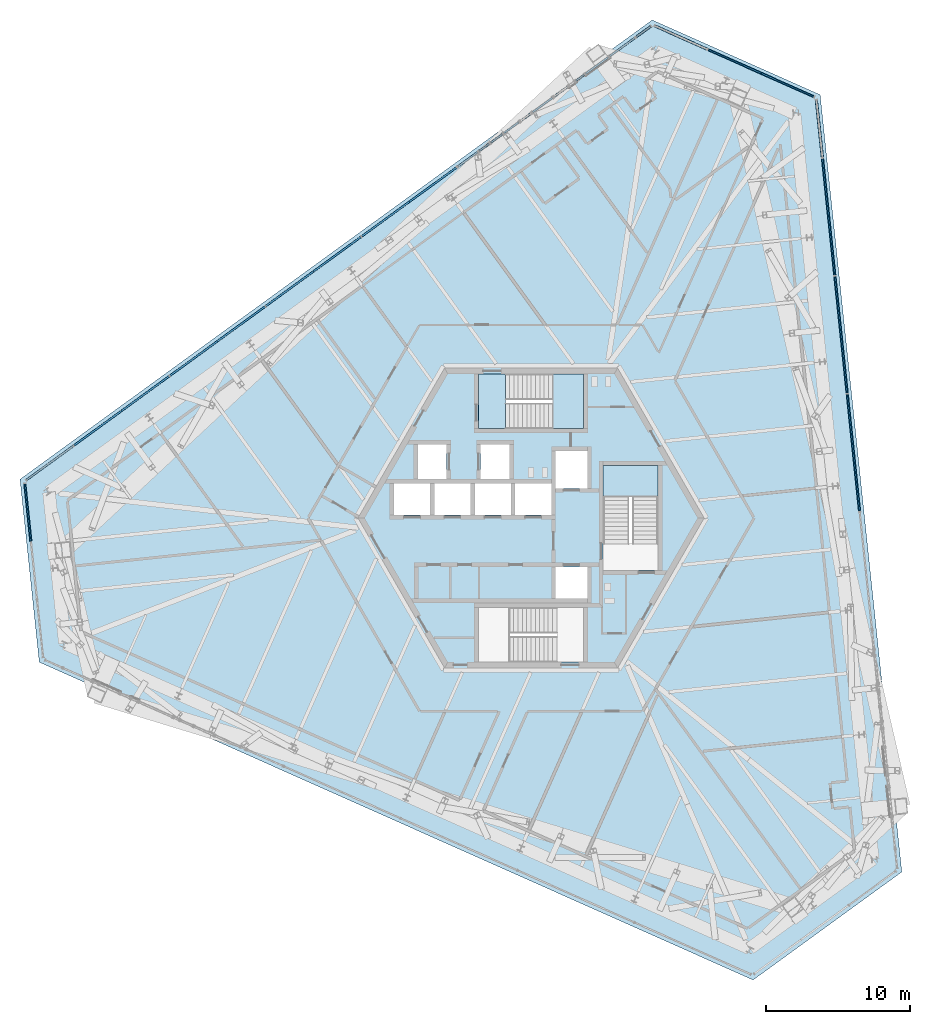
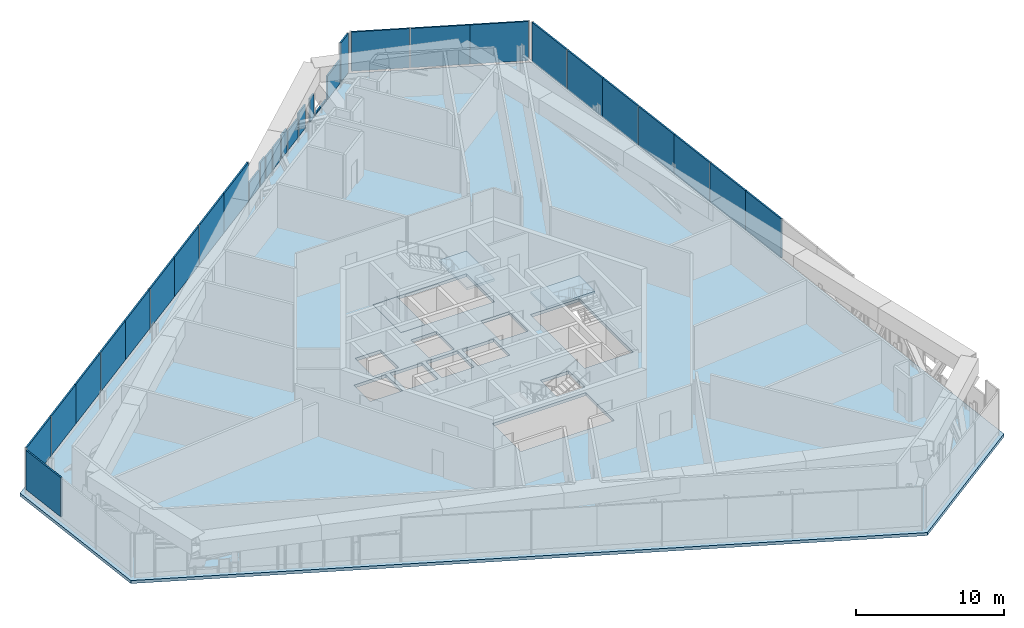
# One storey, part 15 of 30: 31 plates, 4 slabs, 17 elements without a shape of their own.
"""IFC4 building model written with IfcOpenShell, lengths in metres."""

from ifc_helpers import new_model, si_unit, direction, frame, origin, origin_2d, place, context, subcontext, project, spatial, polyline, rectangle, outline, extrude, source, transform, mapped, material, layer, layer_set, type_object, element, aggregate, save


model = new_model("IFC4")

# Units and contexts
model_context = context("Model", 3, precision=1e-05, world=origin(), true_north=direction((0.0, 1.0)))
body_context = subcontext(model_context, "Body", "Model", "MODEL_VIEW")
ifc_project = project(units=[si_unit("LENGTHUNIT", "METRE"), si_unit("AREAUNIT", "SQUARE_METRE"), si_unit("VOLUMEUNIT", "CUBIC_METRE"), si_unit("PLANEANGLEUNIT", "RADIAN"), si_unit("MASSUNIT", "GRAM", prefix="KILO")], contexts=[model_context])

# Site, building, storey
site_placement = place(None, origin())
site = spatial("IfcSite", under=ifc_project, at=site_placement, CompositionType="ELEMENT")
building_placement = place(site_placement, origin())
building = spatial("IfcBuilding", under=site, at=building_placement, Name="Triune Harvest Tower", CompositionType="ELEMENT")
storey_placement = place(building_placement, frame((0.0, 0.0, 94.5)))
storey = spatial("IfcBuildingStorey", under=building, at=storey_placement, Name="L23", CompositionType="ELEMENT", Elevation=94.5)

# Curtain wall, plate
ifc_material_1 = material(Name="Aluminium bronze anodised", Category="aluminium")
curtain_wall_type = type_object("IfcCurtainWallType", Name="CW-5 Plant louvre wall", PredefinedType="NOTDEFINED", material=ifc_material_1)
curtain_wall_1_placement = place(storey_placement, origin())
curtain_wall_1 = element("IfcCurtainWall", 1, at=curtain_wall_1_placement, inside=storey, type_object=curtain_wall_type, Name="CW-5 B2-F3 L23 run 301")
ifc_material_2 = material(Name="Aluminium bronze anodised", Category="aluminium")
ifc_layer_1 = layer(ifc_material_2, 0.1201171875)
ifc_layer_set_1 = layer_set([ifc_layer_1], Name="Aluminium bronze anodised")
plate_type = type_object("IfcPlateType", Name="GL-5 panel 120", PredefinedType="CURTAIN_PANEL", material=ifc_layer_set_1)
plate_1_placement = place(storey_placement, frame((3.3974609375, 30.5244140625, 0.39990234375), z_axis=(0.0, 0.0, 1.0), x_axis=(-0.809009754697, -0.587795216725, 0.0)))
plate_1 = element("IfcPlate", 2, at=plate_1_placement, type_object=plate_type, Name="CW-5 panel B2-F3 301.1", PredefinedType="CURTAIN_PANEL", context=body_context, shape_type="SweptSolid", body=[
    extrude(rectangle(XDim=0.67724609375, YDim=0.1201171875, at=origin_2d()), origin(), (0.0, 0.0, 1.0), 1.929931640625),
])
aggregate(curtain_wall_1, [plate_1])

curtain_wall_2_placement = place(storey_placement, origin())
curtain_wall_2 = element("IfcCurtainWall", 3, at=curtain_wall_2_placement, inside=storey, type_object=curtain_wall_type, Name="CW-5 B2-F3 L23 run 501")
plate_2_placement = place(storey_placement, frame((2.062744140625, 29.5546875, 0.39990234375), z_axis=(0.0, 0.0, 1.0), x_axis=(-0.809011850126, -0.587792332679, 0.0)))
plate_2 = element("IfcPlate", 4, at=plate_2_placement, type_object=plate_type, Name="CW-5 panel B2-F3 501.1", PredefinedType="CURTAIN_PANEL", context=body_context, shape_type="SweptSolid", body=[
    extrude(rectangle(XDim=1.15673828125, YDim=0.1201171875, at=origin_2d()), origin(), (0.0, 0.0, 1.0), 1.929931640625),
])
aggregate(curtain_wall_2, [plate_2])

curtain_wall_3_placement = place(storey_placement, origin())
curtain_wall_3 = element("IfcCurtainWall", 5, at=curtain_wall_3_placement, inside=storey, type_object=curtain_wall_type, Name="CW-5 B2-F3 L23 run 601")
plate_3_placement = place(storey_placement, frame((0.79345703125, 28.632568359375, 0.39990234375), z_axis=(0.0, 0.0, 1.0), x_axis=(-0.809023390856, -0.587776448191, 0.0)))
plate_3 = element("IfcPlate", 6, at=plate_3_placement, type_object=plate_type, Name="CW-5 panel B2-F3 601.1", PredefinedType="CURTAIN_PANEL", context=body_context, shape_type="SweptSolid", body=[
    extrude(rectangle(XDim=1.66064453125, YDim=0.1201171875, at=origin_2d()), origin(), (0.0, 0.0, 1.0), 1.577392578125),
])
aggregate(curtain_wall_3, [plate_3])

curtain_wall_4_placement = place(storey_placement, origin())
curtain_wall_4 = element("IfcCurtainWall", 7, at=curtain_wall_4_placement, inside=storey, type_object=curtain_wall_type, Name="CW-5 B2-F3 L23 run 701")
plate_4_placement = place(storey_placement, frame((-0.365966796875, 27.790283203125, 0.39990234375), z_axis=(0.0, 0.0, 1.0), x_axis=(-0.809008955636, -0.587796316508, 0.0)))
plate_4 = element("IfcPlate", 8, at=plate_4_placement, type_object=plate_type, Name="CW-5 panel B2-F3 701.1", PredefinedType="CURTAIN_PANEL", context=body_context, shape_type="SweptSolid", body=[
    extrude(rectangle(XDim=0.885498046875, YDim=0.1201171875, at=origin_2d()), origin(), (0.0, 0.0, 1.0), 1.929931640625),
])
aggregate(curtain_wall_4, [plate_4])

curtain_wall_5_placement = place(storey_placement, origin())
curtain_wall_5 = element("IfcCurtainWall", 9, at=curtain_wall_5_placement, inside=storey, type_object=curtain_wall_type, Name="CW-5 B2-F3 L23 run 801")
plate_5_placement = place(storey_placement, frame((-1.36328125, 27.0654296875, 0.39990234375), z_axis=(0.0, 0.0, 1.0), x_axis=(-0.808991783624, -0.58781995035, 0.0)))
plate_5 = element("IfcPlate", 10, at=plate_5_placement, type_object=plate_type, Name="CW-5 panel B2-F3 801.1", PredefinedType="CURTAIN_PANEL", context=body_context, shape_type="SweptSolid", body=[
    extrude(rectangle(XDim=1.26025390625, YDim=0.1201171875, at=origin_2d()), origin(), (0.0, 0.0, 1.0), 1.790283203125),
])
aggregate(curtain_wall_5, [plate_5])

curtain_wall_6_placement = place(storey_placement, origin())
curtain_wall_6 = element("IfcCurtainWall", 11, at=curtain_wall_6_placement, inside=storey, type_object=curtain_wall_type, Name="CW-5 B2-F3 L23 run 901")
plate_6_placement = place(storey_placement, frame((-2.39794921875, 26.313720703125, 0.39990234375), z_axis=(0.0, 0.0, 1.0), x_axis=(-0.809032498405, -0.587763912234, 0.0)))
plate_6 = element("IfcPlate", 12, at=plate_6_placement, type_object=plate_type, Name="CW-5 panel B2-F3 901.1", PredefinedType="CURTAIN_PANEL", context=body_context, shape_type="SweptSolid", body=[
    extrude(rectangle(XDim=0.9775390625, YDim=0.1201171875, at=origin_2d()), origin(), (0.0, 0.0, 1.0), 1.790283203125),
])
aggregate(curtain_wall_6, [plate_6])

curtain_wall_7_placement = place(storey_placement, origin())
curtain_wall_7 = element("IfcCurtainWall", 13, at=curtain_wall_7_placement, inside=storey, type_object=curtain_wall_type, Name="CW-5 B2-F3 L23 run 1001")
plate_7_placement = place(storey_placement, frame((-3.254638671875, 25.69140625, 0.39990234375), z_axis=(0.0, 0.0, 1.0), x_axis=(-0.809035828294, -0.587759328753, 0.0)))
plate_7 = element("IfcPlate", 14, at=plate_7_placement, type_object=plate_type, Name="CW-5 panel B2-F3 1001.1", PredefinedType="CURTAIN_PANEL", context=body_context, shape_type="SweptSolid", body=[
    extrude(rectangle(XDim=0.820556640625, YDim=0.1201171875, at=origin_2d()), origin(), (0.0, 0.0, 1.0), 1.929931640625),
])
aggregate(curtain_wall_7, [plate_7])

curtain_wall_8_placement = place(storey_placement, origin())
curtain_wall_8 = element("IfcCurtainWall", 15, at=curtain_wall_8_placement, inside=storey, type_object=curtain_wall_type, Name="CW-5 B2-F3 L23 run 1101")
plate_8_placement = place(storey_placement, frame((-4.384521484375, 24.87060546875, 0.39990234375), z_axis=(0.0, 0.0, 1.0), x_axis=(-0.809031859757, -0.587764791306, 0.0)))
plate_8 = element("IfcPlate", 16, at=plate_8_placement, type_object=plate_type, Name="CW-5 panel B2-F3 1101.1", PredefinedType="CURTAIN_PANEL", context=body_context, shape_type="SweptSolid", body=[
    extrude(rectangle(XDim=1.65234375, YDim=0.1201171875, at=origin_2d()), origin(), (0.0, 0.0, 1.0), 1.4365234375),
])
aggregate(curtain_wall_8, [plate_8])

# Slab
ifc_material_3 = material(Name="Concrete 40 MPa", Category="concrete")
ifc_layer_2 = layer(ifc_material_3, 0.25)
ifc_layer_set_2 = layer_set([ifc_layer_2], Name="Concrete 40 MPa")
slab_type_1 = type_object("IfcSlabType", Name="SL-4 Composite floor slab 250", PredefinedType="FLOOR", material=ifc_layer_set_2)
slab_1_placement = place(storey_placement, frame((0.0, 0.0, -0.25)))
element("IfcSlab", 17, at=slab_1_placement, inside=storey, type_object=slab_type_1, Name="slab/L23/1", PredefinedType="FLOOR", context=body_context, shape_type="SweptSolid", body=[
    extrude(outline(polyline([(25.703125, -24.534423828125), (20.04052734375, 29.34228515625), (8.395751953125, 34.526611328125), (-35.431396484375, 2.6845703125), (-34.098876953125, -9.992431640625), (15.390869140625, -32.026611328125), (25.703125, -24.534423828125)]), holes=[polyline([(-7.0, 0.2099609375), (-7.0, 2.409912109375), (-9.5, 2.409912109375), (-9.5, 0.2099609375), (-7.0, 0.2099609375)]), polyline([(-4.199951171875, 0.2099609375), (-4.199951171875, 2.409912109375), (-6.699951171875, 2.409912109375), (-6.699951171875, 0.2099609375), (-4.199951171875, 0.2099609375)]), polyline([(-1.39990234375, 0.2099609375), (-1.39990234375, 2.409912109375), (-3.89990234375, 2.409912109375), (-3.89990234375, 0.2099609375), (-1.39990234375, 0.2099609375)]), polyline([(1.39990234375, 0.2099609375), (1.39990234375, 2.409912109375), (-1.10009765625, 2.409912109375), (-1.10009765625, 0.2099609375), (1.39990234375, 0.2099609375)]), polyline([(3.89990234375, 2.06005859375), (3.89990234375, 4.659912109375), (1.699951171875, 4.659912109375), (1.699951171875, 2.06005859375), (3.89990234375, 2.06005859375)]), polyline([(3.89990234375, -5.590087890625), (3.89990234375, -3.389892578125), (1.699951171875, -3.389892578125), (1.699951171875, -5.590087890625), (3.89990234375, -5.590087890625)]), polyline([(-5.85009765625, 2.7099609375), (-5.85009765625, 5.110107421875), (-7.85009765625, 5.110107421875), (-7.85009765625, 2.7099609375), (-5.85009765625, 2.7099609375)]), polyline([(-1.5, 2.7099609375), (-1.5, 5.110107421875), (-3.5, 5.110107421875), (-3.5, 2.7099609375), (-1.5, 2.7099609375)]), polyline([(3.64990234375, 6.18994140625), (3.64990234375, 9.989990234375), (-3.64990234375, 9.989990234375), (-3.64990234375, 6.18994140625), (3.64990234375, 6.18994140625)]), polyline([(3.64990234375, -9.989990234375), (3.64990234375, -6.18994140625), (-3.64990234375, -6.18994140625), (-3.64990234375, -9.989990234375), (3.64990234375, -9.989990234375)]), polyline([(8.800048828125, -3.64990234375), (8.800048828125, 3.64990234375), (5.0, 3.64990234375), (5.0, -3.64990234375), (8.800048828125, -3.64990234375)])]), origin(), (0.0, 0.0, 1.0), 0.25),
])

# Stair, slabs
ifc_material_4 = material(Name="Concrete 40 MPa", Category="concrete")
stair_type = type_object("IfcStairType", Name="Exit stair 1800 half turn", PredefinedType="HALF_TURN_STAIR", material=ifc_material_4)
stair_1_placement = place(storey_placement, origin())
stair_1 = element("IfcStair", 18, at=stair_1_placement, inside=storey, type_object=stair_type, Name="Exit stair north", PredefinedType="HALF_TURN_STAIR")
ifc_material_5 = material(Name="Concrete 40 MPa", Category="concrete")
ifc_layer_3 = layer(ifc_material_5, 0.199951171875)
ifc_layer_set_3 = layer_set([ifc_layer_3], Name="Concrete 40 MPa")
slab_type_2 = type_object("IfcSlabType", Name="Stair landing 200", PredefinedType="LANDING", material=ifc_layer_set_3)
shared_shape_1 = source(origin(), body_context, "Body", "SweptSolid", [
    extrude(outline(polyline([(1.510009765625, 6.18994140625), (3.64990234375, 6.18994140625), (3.64990234375, 9.989990234375), (1.510009765625, 9.989990234375), (1.510009765625, 6.18994140625)])), origin(), (0.0, 0.0, 1.0), 0.199951171875),
])
slab_2_placement = place(storey_placement, frame((0.0, 0.0, 1.699951171875)))
slab_2 = element("IfcSlab", 19, at=slab_2_placement, type_object=slab_type_2, Name="ST-1 landing 2", PredefinedType="LANDING", context=body_context, shape_type="MappedRepresentation", body=[
    mapped(shared_shape_1, transform((0.0, 0.0, 0.0), scale=1.0)),
])
shared_shape_2 = source(origin(), body_context, "Body", "SweptSolid", [
    extrude(outline(polyline([(-3.64990234375, 6.18994140625), (-1.780029296875, 6.18994140625), (-1.780029296875, 9.989990234375), (-3.64990234375, 9.989990234375), (-3.64990234375, 6.18994140625)])), origin(), (0.0, 0.0, 1.0), 0.199951171875),
])
slab_3_placement = place(storey_placement, frame((0.0, 0.0, -0.199951171875)))
slab_3 = element("IfcSlab", 20, at=slab_3_placement, type_object=slab_type_2, Name="ST-1 landing 1", PredefinedType="LANDING", context=body_context, shape_type="MappedRepresentation", body=[
    mapped(shared_shape_2, transform((0.0, 0.0, 0.0), scale=1.0)),
])
aggregate(stair_1, [slab_3, slab_2])

# Stair, slab
stair_2_placement = place(storey_placement, origin())
stair_2 = element("IfcStair", 21, at=stair_2_placement, inside=storey, type_object=stair_type, Name="Exit stair east", PredefinedType="HALF_TURN_STAIR")
shared_shape_3 = source(origin(), body_context, "Body", "SweptSolid", [
    extrude(outline(polyline([(8.800048828125, 1.510009765625), (8.800048828125, 3.64990234375), (5.0, 3.64990234375), (5.0, 1.510009765625), (8.800048828125, 1.510009765625)])), origin(), (0.0, 0.0, 1.0), 0.199951171875),
])
slab_4_placement = place(storey_placement, frame((0.0, 0.0, 1.699951171875)))
slab_4 = element("IfcSlab", 22, at=slab_4_placement, type_object=slab_type_2, Name="ST-3 landing 2", PredefinedType="LANDING", context=body_context, shape_type="MappedRepresentation", body=[
    mapped(shared_shape_3, transform((0.0, 0.0, 0.0), scale=1.0)),
])
aggregate(stair_2, [slab_4])

# Curtain wall, plate
curtain_wall_9_placement = place(storey_placement, origin())
curtain_wall_9 = element("IfcCurtainWall", 23, at=curtain_wall_9_placement, inside=storey, type_object=curtain_wall_type, Name="CW-5 B2-F3 L23 run 1")
shared_shape_4 = source(origin(), body_context, "Body", "SweptSolid", [
    extrude(rectangle(XDim=1.2314453125, YDim=0.1201171875, at=origin_2d()), origin(), (0.0, 0.0, 1.0), 3.239990234375),
])
plate_9_placement = place(storey_placement, frame((7.79638671875, 33.720458984375, 0.39990234375), z_axis=(0.0, 0.0, 1.0), x_axis=(-0.809031202509, -0.587765695977, 0.0)))
plate_9 = element("IfcPlate", 24, at=plate_9_placement, type_object=plate_type, Name="CW-5 panel B2-F3 1.1", PredefinedType="CURTAIN_PANEL", context=body_context, shape_type="MappedRepresentation", body=[
    mapped(shared_shape_4, transform((0.0, 0.0, 0.0), scale=1.0)),
])
aggregate(curtain_wall_9, [plate_9])

curtain_wall_10_placement = place(storey_placement, origin())
curtain_wall_10 = element("IfcCurtainWall", 25, at=curtain_wall_10_placement, inside=storey, type_object=curtain_wall_type, Name="CW-5 B2-F3 L23 run 101")
shared_shape_5 = source(origin(), body_context, "Body", "SweptSolid", [
    extrude(rectangle(XDim=2.105712890625, YDim=0.1201171875, at=origin_2d()), origin(), (0.0, 0.0, 1.0), 1.929931640625),
])
plate_10_placement = place(storey_placement, frame((6.31689453125, 32.6455078125, 0.39990234375), z_axis=(0.0, 0.0, 1.0), x_axis=(-0.809012754479, -0.587791087964, 0.0)))
plate_10 = element("IfcPlate", 26, at=plate_10_placement, type_object=plate_type, Name="CW-5 panel B2-F3 101.1", PredefinedType="CURTAIN_PANEL", context=body_context, shape_type="MappedRepresentation", body=[
    mapped(shared_shape_5, transform((0.0, 0.0, 0.0), scale=1.0)),
])
aggregate(curtain_wall_10, [plate_10])

curtain_wall_11_placement = place(storey_placement, origin())
curtain_wall_11 = element("IfcCurtainWall", 27, at=curtain_wall_11_placement, inside=storey, type_object=curtain_wall_type, Name="CW-5 B2-F3 L23 run 201")
shared_shape_6 = source(origin(), body_context, "Body", "SweptSolid", [
    extrude(rectangle(XDim=1.897216796875, YDim=0.1201171875, at=origin_2d()), origin(), (0.0, 0.0, 1.0), 0.132080078125),
])
plate_11_placement = place(storey_placement, frame((4.568359375, 31.375, 0.39990234375), z_axis=(0.0, 0.0, 1.0), x_axis=(-0.809030258074, -0.587766995944, 0.0)))
plate_11 = element("IfcPlate", 28, at=plate_11_placement, type_object=plate_type, Name="CW-5 panel B2-F3 201.1", PredefinedType="CURTAIN_PANEL", context=body_context, shape_type="MappedRepresentation", body=[
    mapped(shared_shape_6, transform((0.0, 0.0, 0.0), scale=1.0)),
])
aggregate(curtain_wall_11, [plate_11])

curtain_wall_12_placement = place(storey_placement, origin())
curtain_wall_12 = element("IfcCurtainWall", 29, at=curtain_wall_12_placement, inside=storey, type_object=curtain_wall_type, Name="CW-5 B2-F3 L23 run 1201")
shared_shape_7 = source(origin(), body_context, "Body", "SweptSolid", [
    extrude(rectangle(XDim=4.02978515625, YDim=0.1201171875, at=origin_2d()), origin(), (0.0, 0.0, 1.0), 3.239990234375),
])
plate_12_placement = place(storey_placement, frame((-6.8125, 23.1064453125, 0.39990234375), z_axis=(0.0, 0.0, 1.0), x_axis=(-0.809016341608, -0.587786150748, 0.0)))
plate_12 = element("IfcPlate", 30, at=plate_12_placement, type_object=plate_type, Name="CW-5 panel B2-F3 1201.1", PredefinedType="CURTAIN_PANEL", context=body_context, shape_type="MappedRepresentation", body=[
    mapped(shared_shape_7, transform((0.0, 0.0, 0.0), scale=1.0)),
])

# Curtain wall, plates
curtain_wall_13_placement = place(storey_placement, origin())
curtain_wall_13 = element("IfcCurtainWall", 31, at=curtain_wall_13_placement, inside=storey, type_object=curtain_wall_type, Name="CW-5 B2-F1 L23 run 1501")
shared_shape_8 = source(origin(), body_context, "Body", "SweptSolid", [
    extrude(rectangle(XDim=4.069580078125, YDim=0.1201171875, at=origin_2d()), origin(), (0.0, 0.0, 1.0), 3.239990234375),
])
plate_13_placement = place(storey_placement, frame((22.559814453125, 2.50244140625, 0.39990234375), z_axis=(0.0, 0.0, 1.0), x_axis=(-0.104528282973, 0.994521914318, 0.0)))
plate_13 = element("IfcPlate", 32, at=plate_13_placement, type_object=plate_type, Name="CW-5 panel B2-F1 1501.3", PredefinedType="CURTAIN_PANEL", context=body_context, shape_type="MappedRepresentation", body=[
    mapped(shared_shape_8, transform((0.0, 0.0, 0.0), scale=1.0)),
])
plate_14_placement = place(storey_placement, frame((22.13427734375, 6.5498046875, 0.39990234375), z_axis=(0.0, 0.0, 1.0), x_axis=(-0.104528282973, 0.994521914318, 0.0)))
plate_14 = element("IfcPlate", 33, at=plate_14_placement, type_object=plate_type, Name="CW-5 panel B2-F1 1501.4", PredefinedType="CURTAIN_PANEL", context=body_context, shape_type="MappedRepresentation", body=[
    mapped(shared_shape_8, transform((0.0, 0.0, 0.0), scale=1.0)),
])
plate_15_placement = place(storey_placement, frame((21.70068359375, 10.6767578125, 0.39990234375), z_axis=(0.0, 0.0, 1.0), x_axis=(-0.104528282973, 0.994521914318, 0.0)))
plate_15 = element("IfcPlate", 34, at=plate_15_placement, type_object=plate_type, Name="CW-5 panel B2-F1 1501.5", PredefinedType="CURTAIN_PANEL", context=body_context, shape_type="MappedRepresentation", body=[
    mapped(shared_shape_8, transform((0.0, 0.0, 0.0), scale=1.0)),
])
plate_16_placement = place(storey_placement, frame((21.275146484375, 14.72412109375, 0.39990234375), z_axis=(0.0, 0.0, 1.0), x_axis=(-0.104528282973, 0.994521914318, 0.0)))
plate_16 = element("IfcPlate", 35, at=plate_16_placement, type_object=plate_type, Name="CW-5 panel B2-F1 1501.6", PredefinedType="CURTAIN_PANEL", context=body_context, shape_type="MappedRepresentation", body=[
    mapped(shared_shape_8, transform((0.0, 0.0, 0.0), scale=1.0)),
])
plate_17_placement = place(storey_placement, frame((20.841552734375, 18.85107421875, 0.39990234375), z_axis=(0.0, 0.0, 1.0), x_axis=(-0.104528282973, 0.994521914318, 0.0)))
plate_17 = element("IfcPlate", 36, at=plate_17_placement, type_object=plate_type, Name="CW-5 panel B2-F1 1501.7", PredefinedType="CURTAIN_PANEL", context=body_context, shape_type="MappedRepresentation", body=[
    mapped(shared_shape_8, transform((0.0, 0.0, 0.0), scale=1.0)),
])
plate_18_placement = place(storey_placement, frame((20.416015625, 22.8984375, 0.39990234375), z_axis=(0.0, 0.0, 1.0), x_axis=(-0.104528282973, 0.994521914318, 0.0)))
plate_18 = element("IfcPlate", 37, at=plate_18_placement, type_object=plate_type, Name="CW-5 panel B2-F1 1501.8", PredefinedType="CURTAIN_PANEL", context=body_context, shape_type="MappedRepresentation", body=[
    mapped(shared_shape_8, transform((0.0, 0.0, 0.0), scale=1.0)),
])
shared_shape_9 = source(origin(), body_context, "Body", "SweptSolid", [
    extrude(rectangle(XDim=3.98974609375, YDim=0.1201171875, at=origin_2d()), origin(), (0.0, 0.0, 1.0), 3.239990234375),
])
plate_19_placement = place(storey_placement, frame((19.986572265625, 26.985595703125, 0.39990234375), z_axis=(0.0, 0.0, 1.0), x_axis=(-0.104528282973, 0.994521914318, 0.0)))
plate_19 = element("IfcPlate", 38, at=plate_19_placement, type_object=plate_type, Name="CW-5 panel B2-F1 1501.9", PredefinedType="CURTAIN_PANEL", context=body_context, shape_type="MappedRepresentation", body=[
    mapped(shared_shape_9, transform((0.0, 0.0, 0.0), scale=1.0)),
])
aggregate(curtain_wall_13, [plate_13, plate_14, plate_15, plate_16, plate_17, plate_18, plate_19])

# Plate
plate_20_placement = place(storey_placement, frame((-33.36328125, 3.816162109375, 0.39990234375), z_axis=(0.0, 0.0, 1.0), x_axis=(-0.809016341608, -0.587786150748, 0.0)))
plate_20 = element("IfcPlate", 39, at=plate_20_placement, type_object=plate_type, Name="CW-5 panel B2-F3 1201.9", PredefinedType="CURTAIN_PANEL", context=body_context, shape_type="MappedRepresentation", body=[
    mapped(shared_shape_9, transform((0.0, 0.0, 0.0), scale=1.0)),
])

# Curtain wall, plate
curtain_wall_14_placement = place(storey_placement, origin())
curtain_wall_14 = element("IfcCurtainWall", 40, at=curtain_wall_14_placement, inside=storey, type_object=curtain_wall_type, Name="CW-5 B2-F2 L23 run 1")
shared_shape_10 = source(origin(), body_context, "Body", "SweptSolid", [
    extrude(rectangle(XDim=3.993408203125, YDim=0.1201171875, at=origin_2d()), origin(), (0.0, 0.0, 1.0), 3.239990234375),
])
plate_21_placement = place(storey_placement, frame((17.78076171875, 30.019775390625, 0.39990234375), z_axis=(0.0, 0.0, 1.0), x_axis=(-0.913546644034, 0.406733978386, 0.0)))
plate_21 = element("IfcPlate", 41, at=plate_21_placement, type_object=plate_type, Name="CW-5 panel B2-F2 1.1", PredefinedType="CURTAIN_PANEL", context=body_context, shape_type="MappedRepresentation", body=[
    mapped(shared_shape_10, transform((0.0, 0.0, 0.0), scale=1.0)),
])

curtain_wall_15_placement = place(storey_placement, origin())
curtain_wall_15 = element("IfcCurtainWall", 42, at=curtain_wall_15_placement, inside=storey, type_object=curtain_wall_type, Name="CW-5 B2-F4 L23 run 1")
plate_22_placement = place(storey_placement, frame((-34.888427734375, 0.388671875, 0.39990234375), z_axis=(0.0, 0.0, 1.0), x_axis=(0.104529462601, -0.994521790334, 0.0)))
plate_22 = element("IfcPlate", 43, at=plate_22_placement, type_object=plate_type, Name="CW-5 panel B2-F4 1.1", PredefinedType="CURTAIN_PANEL", context=body_context, shape_type="MappedRepresentation", body=[
    mapped(shared_shape_10, transform((0.0, 0.0, 0.0), scale=1.0)),
])
aggregate(curtain_wall_15, [plate_22])

# Plate
shared_shape_11 = source(origin(), body_context, "Body", "SweptSolid", [
    extrude(rectangle(XDim=4.033447265625, YDim=0.1201171875, at=origin_2d()), origin(), (0.0, 0.0, 1.0), 3.239990234375),
])
plate_23_placement = place(storey_placement, frame((14.1142578125, 31.65234375, 0.39990234375), z_axis=(0.0, 0.0, 1.0), x_axis=(-0.913546644034, 0.406733978386, 0.0)))
plate_23 = element("IfcPlate", 44, at=plate_23_placement, type_object=plate_type, Name="CW-5 panel B2-F2 1.2", PredefinedType="CURTAIN_PANEL", context=body_context, shape_type="MappedRepresentation", body=[
    mapped(shared_shape_11, transform((0.0, 0.0, 0.0), scale=1.0)),
])

shared_shape_12 = source(origin(), body_context, "Body", "SweptSolid", [
    extrude(rectangle(XDim=3.953369140625, YDim=0.1201171875, at=origin_2d()), origin(), (0.0, 0.0, 1.0), 3.239990234375),
])
plate_24_placement = place(storey_placement, frame((10.39306640625, 33.30908203125, 0.39990234375), z_axis=(0.0, 0.0, 1.0), x_axis=(-0.913546644034, 0.406733978386, 0.0)))
plate_24 = element("IfcPlate", 45, at=plate_24_placement, type_object=plate_type, Name="CW-5 panel B2-F2 1.3", PredefinedType="CURTAIN_PANEL", context=body_context, shape_type="MappedRepresentation", body=[
    mapped(shared_shape_12, transform((0.0, 0.0, 0.0), scale=1.0)),
])

aggregate(curtain_wall_14, [plate_21, plate_23, plate_24])

shared_shape_13 = source(origin(), body_context, "Body", "SweptSolid", [
    extrude(rectangle(XDim=4.06982421875, YDim=0.1201171875, at=origin_2d()), origin(), (0.0, 0.0, 1.0), 3.239990234375),
])
plate_25_placement = place(storey_placement, frame((-10.0888671875, 20.72607421875, 0.39990234375), z_axis=(0.0, 0.0, 1.0), x_axis=(-0.809016341608, -0.587786150748, 0.0)))
plate_25 = element("IfcPlate", 46, at=plate_25_placement, type_object=plate_type, Name="CW-5 panel B2-F3 1201.2", PredefinedType="CURTAIN_PANEL", context=body_context, shape_type="MappedRepresentation", body=[
    mapped(shared_shape_13, transform((0.0, 0.0, 0.0), scale=1.0)),
])

plate_26_placement = place(storey_placement, frame((-13.446044921875, 18.286865234375, 0.39990234375), z_axis=(0.0, 0.0, 1.0), x_axis=(-0.809016341608, -0.587786150748, 0.0)))
plate_26 = element("IfcPlate", 47, at=plate_26_placement, type_object=plate_type, Name="CW-5 panel B2-F3 1201.3", PredefinedType="CURTAIN_PANEL", context=body_context, shape_type="MappedRepresentation", body=[
    mapped(shared_shape_13, transform((0.0, 0.0, 0.0), scale=1.0)),
])

plate_27_placement = place(storey_placement, frame((-16.73876953125, 15.894775390625, 0.39990234375), z_axis=(0.0, 0.0, 1.0), x_axis=(-0.809016341608, -0.587786150748, 0.0)))
plate_27 = element("IfcPlate", 48, at=plate_27_placement, type_object=plate_type, Name="CW-5 panel B2-F3 1201.4", PredefinedType="CURTAIN_PANEL", context=body_context, shape_type="MappedRepresentation", body=[
    mapped(shared_shape_13, transform((0.0, 0.0, 0.0), scale=1.0)),
])

plate_28_placement = place(storey_placement, frame((-20.095947265625, 13.455322265625, 0.39990234375), z_axis=(0.0, 0.0, 1.0), x_axis=(-0.809016341608, -0.587786150748, 0.0)))
plate_28 = element("IfcPlate", 49, at=plate_28_placement, type_object=plate_type, Name="CW-5 panel B2-F3 1201.5", PredefinedType="CURTAIN_PANEL", context=body_context, shape_type="MappedRepresentation", body=[
    mapped(shared_shape_13, transform((0.0, 0.0, 0.0), scale=1.0)),
])

plate_29_placement = place(storey_placement, frame((-23.388671875, 11.063232421875, 0.39990234375), z_axis=(0.0, 0.0, 1.0), x_axis=(-0.809016341608, -0.587786150748, 0.0)))
plate_29 = element("IfcPlate", 50, at=plate_29_placement, type_object=plate_type, Name="CW-5 panel B2-F3 1201.6", PredefinedType="CURTAIN_PANEL", context=body_context, shape_type="MappedRepresentation", body=[
    mapped(shared_shape_13, transform((0.0, 0.0, 0.0), scale=1.0)),
])

plate_30_placement = place(storey_placement, frame((-26.745849609375, 8.6240234375, 0.39990234375), z_axis=(0.0, 0.0, 1.0), x_axis=(-0.809016341608, -0.587786150748, 0.0)))
plate_30 = element("IfcPlate", 51, at=plate_30_placement, type_object=plate_type, Name="CW-5 panel B2-F3 1201.7", PredefinedType="CURTAIN_PANEL", context=body_context, shape_type="MappedRepresentation", body=[
    mapped(shared_shape_13, transform((0.0, 0.0, 0.0), scale=1.0)),
])

plate_31_placement = place(storey_placement, frame((-30.038330078125, 6.23193359375, 0.39990234375), z_axis=(0.0, 0.0, 1.0), x_axis=(-0.809016341608, -0.587786150748, 0.0)))
plate_31 = element("IfcPlate", 52, at=plate_31_placement, type_object=plate_type, Name="CW-5 panel B2-F3 1201.8", PredefinedType="CURTAIN_PANEL", context=body_context, shape_type="MappedRepresentation", body=[
    mapped(shared_shape_13, transform((0.0, 0.0, 0.0), scale=1.0)),
])

aggregate(curtain_wall_12, [plate_12, plate_25, plate_26, plate_27, plate_28, plate_29, plate_30, plate_31, plate_20])

save(model, "model.ifc")
